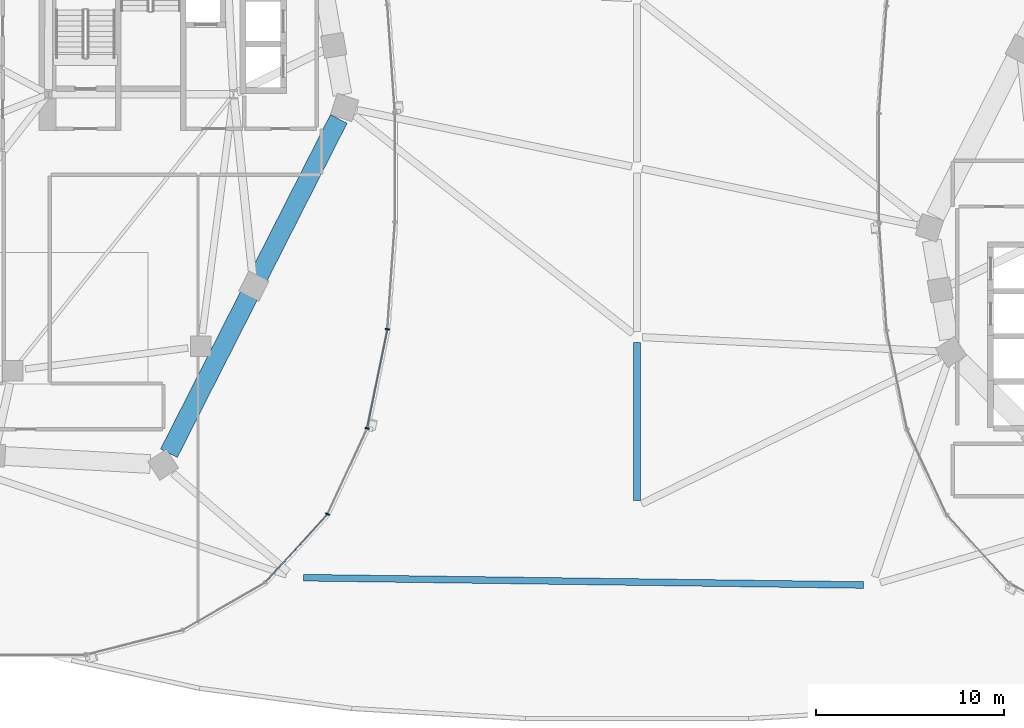
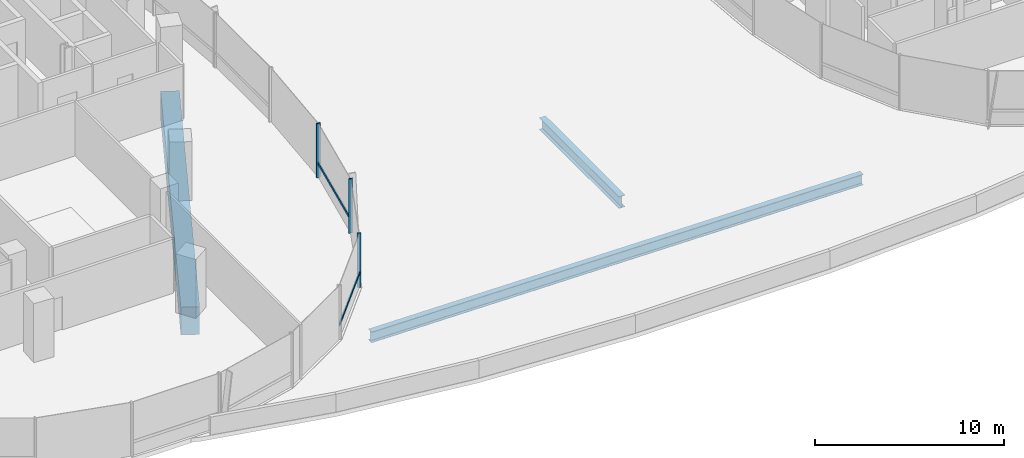
# One storey, part 4 of 28: 5 members, 3 beams, 1 element without a shape of its own.
"""IFC4 building model written with IfcOpenShell, lengths in metres."""

from ifc_helpers import new_model, si_unit, direction, frame, origin, origin_2d, place, context, subcontext, project, spatial, rectangle, i_section, extrude, material, material_profile, profile_set, type_object, element, aggregate, save


model = new_model("IFC4")

# Units and contexts
model_context = context("Model", 3, precision=1e-05, world=origin(), true_north=direction((0.0, 1.0)))
body_context = subcontext(model_context, "Body", "Model", "MODEL_VIEW")
ifc_project = project(units=[si_unit("LENGTHUNIT", "METRE"), si_unit("AREAUNIT", "SQUARE_METRE"), si_unit("VOLUMEUNIT", "CUBIC_METRE"), si_unit("PLANEANGLEUNIT", "RADIAN"), si_unit("MASSUNIT", "GRAM", prefix="KILO"), si_unit("THERMODYNAMICTEMPERATUREUNIT", "KELVIN"), si_unit("POWERUNIT", "WATT")], contexts=[model_context])

# Site, building, storey
site_placement = place(None, origin())
site = spatial("IfcSite", under=ifc_project, at=site_placement, CompositionType="ELEMENT")
building_placement = place(site_placement, origin())
building = spatial("IfcBuilding", under=site, at=building_placement, Name="Cundina Bronze Exchange", CompositionType="ELEMENT")
storey_placement = place(building_placement, frame((0.0, 0.0, 24.0)))
storey = spatial("IfcBuildingStorey", under=building, at=storey_placement, Name="L05", CompositionType="ELEMENT", Elevation=24.0)

# Beams
ifc_material_1 = material(Name="Steel ASTM A992 Grade 50", Category="steel")
ifc_material_profile_1 = material_profile(ifc_material_1, i_section(OverallWidth=0.35498046875, OverallDepth=0.695068359375, WebThickness=0.015380859375, FlangeThickness=0.02490234375, FilletRadius=0.01806640625, at=origin_2d()), Name="W27X146", Category="steel")
ifc_profile_set_1 = profile_set([ifc_material_profile_1], Name="Steel ASTM A992 Grade 50")
beam_type_1 = type_object("IfcBeamType", Name="BM-RING-W27", PredefinedType="USERDEFINED", material=ifc_profile_set_1)
beam_1_placement = place(storey_placement, frame((12.037109375, -22.194091796875, -0.652587890625), z_axis=(-0.999915021381, 0.013036487918, 0.0), x_axis=(-0.013036487918, -0.999915021381, 0.0)))
element("IfcBeam", 1, at=beam_1_placement, inside=storey, type_object=beam_type_1, Name="L05 Podium Roof Edge Girder 03", ObjectType="GIRDER", PredefinedType="USERDEFINED", context=body_context, shape_type="SweptSolid", body=[
    extrude(i_section(OverallWidth=0.35498046875, OverallDepth=0.695068359375, WebThickness=0.015380859375, FlangeThickness=0.02490234375, FilletRadius=0.01806640625, at=origin_2d()), origin(), (0.0, 0.0, 1.0), 29.776611328125),
])
ifc_material_profile_2 = material_profile(ifc_material_1, i_section(OverallWidth=0.381103515625, OverallDepth=0.77294921875, WebThickness=0.0166015625, FlangeThickness=0.027099609375, FilletRadius=0.01904296875, at=origin_2d()), Name="W30X173", Category="steel")
ifc_profile_set_2 = profile_set([ifc_material_profile_2], Name="Steel ASTM A992 Grade 50")
beam_type_2 = type_object("IfcBeamType", Name="BM-RING-W30", PredefinedType="USERDEFINED", material=ifc_profile_set_2)
beam_2_placement = place(storey_placement, frame((0.0, -17.7119140625, -0.69140625), z_axis=(0.0, 1.0, 0.0), x_axis=(-1.0, 0.0, 0.0)))
element("IfcBeam", 2, at=beam_2_placement, inside=storey, type_object=beam_type_2, Name="L05 Concourse Spine Longitudinal Girder 01", ObjectType="GIRDER", PredefinedType="USERDEFINED", context=body_context, shape_type="SweptSolid", body=[
    extrude(i_section(OverallWidth=0.381103515625, OverallDepth=0.77294921875, WebThickness=0.0166015625, FlangeThickness=0.027099609375, FilletRadius=0.01904296875, at=origin_2d()), origin(), (0.0, 0.0, 1.0), 8.423828125),
])
ifc_material_2 = material(Name="Concrete C60/75", Category="concrete")
ifc_material_profile_3 = material_profile(ifc_material_2, rectangle(XDim=1.0, YDim=1.800048828125, at=origin_2d()), Name="RC1000X1800", Category="concrete")
ifc_profile_set_3 = profile_set([ifc_material_profile_3], Name="Concrete C60/75")
beam_type_3 = type_object("IfcBeamType", Name="BM-XFER-RC1800", PredefinedType="USERDEFINED", material=ifc_profile_set_3)
beam_3_placement = place(storey_placement, frame((-24.888427734375, -15.1865234375, -1.199951171875), z_axis=(0.452833622724, 0.891595037072, 0.0), x_axis=(-0.891595037072, 0.452833622724, 0.0)))
element("IfcBeam", 3, at=beam_3_placement, inside=storey, type_object=beam_type_3, Name="L05 W Podium Perimeter Transfer Girder 12", ObjectType="GIRDER", PredefinedType="USERDEFINED", context=body_context, shape_type="SweptSolid", body=[
    extrude(rectangle(XDim=1.0, YDim=1.800048828125, at=origin_2d()), origin(), (0.0, 0.0, 1.0), 19.93408203125),
])

# Curtain wall, members
ifc_material_3 = material(Name="Anodised Bronze Aluminium 6063-T6", Category="aluminium")
curtain_wall_type = type_object("IfcCurtainWallType", Name="CWS-TRD-LOW", PredefinedType="NOTDEFINED", material=ifc_material_3)
curtain_wall_placement = place(storey_placement, origin())
curtain_wall = element("IfcCurtainWall", 4, at=curtain_wall_placement, inside=storey, type_object=curtain_wall_type, Name="L05 CW-02 Curtain Wall Run CWR-L05-W4", PredefinedType="NOTDEFINED")
ifc_material_profile_4 = material_profile(ifc_material_3, rectangle(XDim=0.074951171875, YDim=0.219970703125, at=origin_2d()), Name="AL75X220", Category="aluminium")
ifc_profile_set_4 = profile_set([ifc_material_profile_4], Name="Anodised Bronze Aluminium 6063-T6")
member_type_1 = type_object("IfcMemberType", Name="CWM-MUL-220", PredefinedType="MULLION", material=ifc_profile_set_4)
member_1_placement = place(storey_placement, frame((-16.455810546875, -18.423583984375, 0.0), z_axis=(0.0, 0.0, 1.0), x_axis=(0.42087749791, 0.907117485088, 0.0)))
member_1 = element("IfcMember", 5, at=member_1_placement, type_object=member_type_1, Name="CW-02 Mullion 4", PredefinedType="MULLION", context=body_context, shape_type="SweptSolid", body=[
    extrude(rectangle(XDim=0.074951171875, YDim=0.219970703125, at=origin_2d()), origin(), (0.0, 0.0, 1.0), 3.5),
])
member_2_placement = place(storey_placement, frame((-14.348876953125, -13.861328125, 0.0), z_axis=(0.0, 0.0, 1.0), x_axis=(0.201419845156, 0.979505000486, 0.0)))
member_2 = element("IfcMember", 6, at=member_2_placement, type_object=member_type_1, Name="CW-02 Mullion 5", PredefinedType="MULLION", context=body_context, shape_type="SweptSolid", body=[
    extrude(rectangle(XDim=0.074951171875, YDim=0.219970703125, at=origin_2d()), origin(), (0.0, 0.0, 1.0), 3.5),
])
member_3_placement = place(storey_placement, frame((-13.27099609375, -8.591552734375, 0.0), z_axis=(0.0, 0.0, 1.0), x_axis=(0.070278787473, 0.997527389113, 0.0)))
member_3 = element("IfcMember", 7, at=member_3_placement, type_object=member_type_1, Name="CW-02 Mullion 6", PredefinedType="MULLION", context=body_context, shape_type="SweptSolid", body=[
    extrude(rectangle(XDim=0.074951171875, YDim=0.219970703125, at=origin_2d()), origin(), (0.0, 0.0, 1.0), 3.5),
])
ifc_material_profile_5 = material_profile(ifc_material_3, rectangle(XDim=0.070068359375, YDim=0.179931640625, at=origin_2d()), Name="AL70X180", Category="aluminium")
ifc_profile_set_5 = profile_set([ifc_material_profile_5], Name="Anodised Bronze Aluminium 6063-T6")
member_type_2 = type_object("IfcMemberType", Name="CWM-TRN-180", PredefinedType="USERDEFINED", material=ifc_profile_set_5)
member_4_placement = place(storey_placement, frame((-19.73291015625, -22.027099609375, 0.919921875), z_axis=(0.674302794847, 0.738454968743, 0.0), x_axis=(-0.738454968743, 0.674302794847, 0.0)))
member_4 = element("IfcMember", 8, at=member_4_placement, type_object=member_type_2, Name="CW-02 Spandrel Transom 3", ObjectType="TRANSOM", PredefinedType="USERDEFINED", context=body_context, shape_type="SweptSolid", body=[
    extrude(rectangle(XDim=0.070068359375, YDim=0.179931640625, at=origin_2d()), origin(), (0.0, 0.0, 1.0), 4.848388671875),
])
member_5_placement = place(storey_placement, frame((-14.340576171875, -13.821044921875, 0.919921875), z_axis=(0.201427712708, 0.979503382615, 0.0), x_axis=(-0.979503382615, 0.201427712708, 0.0)))
member_5 = element("IfcMember", 9, at=member_5_placement, type_object=member_type_2, Name="CW-02 Spandrel Transom 5", ObjectType="TRANSOM", PredefinedType="USERDEFINED", context=body_context, shape_type="SweptSolid", body=[
    extrude(rectangle(XDim=0.070068359375, YDim=0.179931640625, at=origin_2d()), origin(), (0.0, 0.0, 1.0), 5.291748046875),
])
aggregate(curtain_wall, [member_4, member_1, member_2, member_5, member_3])

save(model, "model.ifc")
